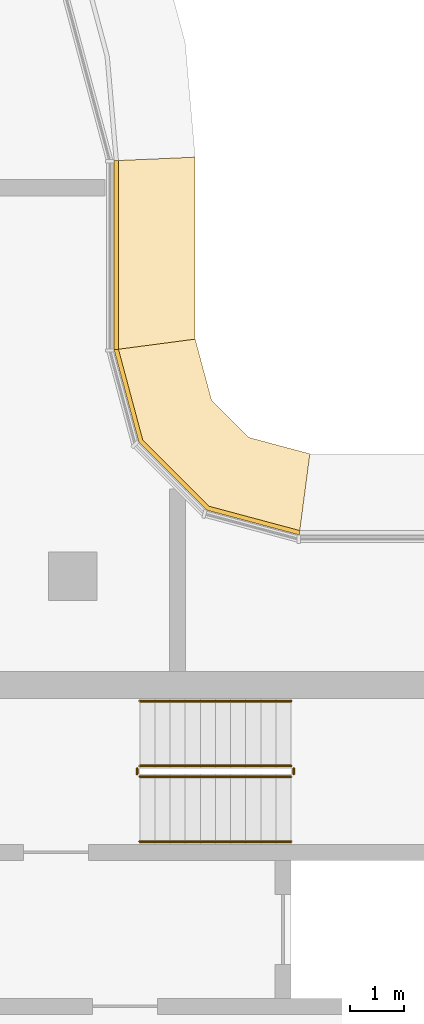
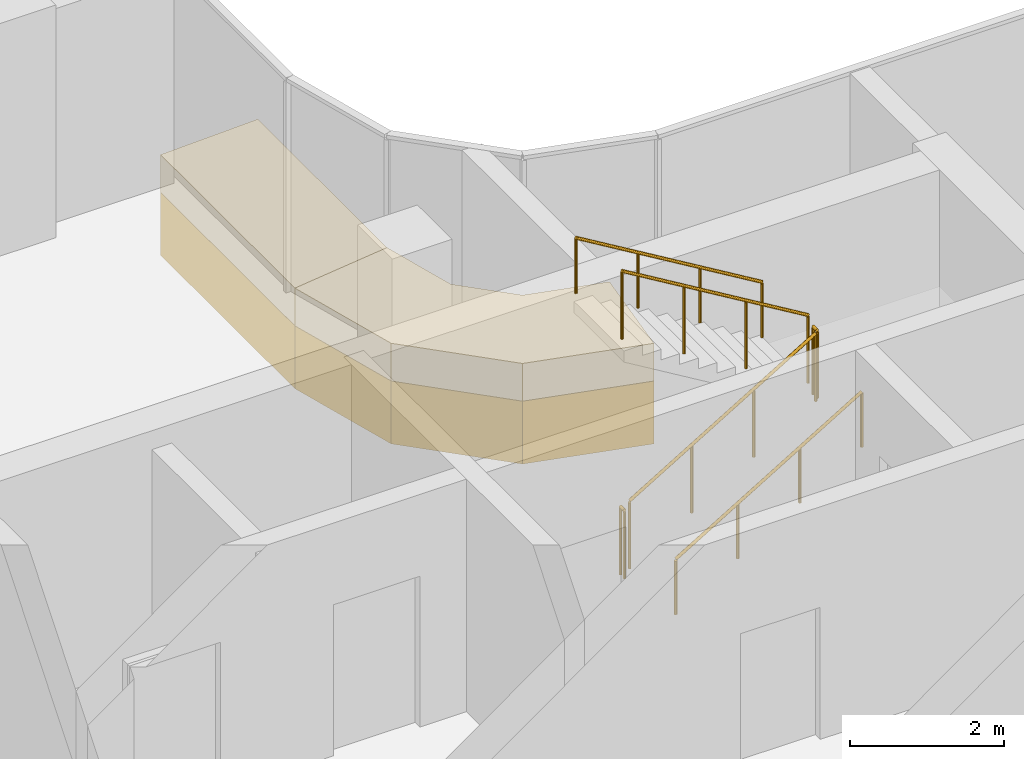
# One storey, part 17 of 20: 6 railings, 4 coverings.
"""IFC4 building model written with IfcOpenShell, lengths in metres."""

import ifcopenshell
import ifcopenshell.guid

model = None  # the IFC model being written
_history = None  # IfcOwnerHistory: only IFC2X3 demands one
_inside = {}  # id of a spatial element -> (the spatial element, [elements in it])
_under = {}  # id of a project, library or spatial element -> (it, [spatial elements below it])
_declared = {}  # id of a project -> (the project, [libraries it declares])
_typed = {}  # id of a type object -> (the type object, [elements of that type])
_made_of = {}  # id of a material, layer set ... -> (it, [elements and type objects made of it])


def new_model(schema):
    """Start an empty IFC model of exactly this schema.

    Asked for "IFC4X3", IfcOpenShell would pick the latest addendum, in which some entities
    have other attributes; the version numbers below select the first issue.
    IFC2X3 requires an IfcOwnerHistory on every rooted entity: one is made here for all.
    """
    global model, _history
    if schema == "IFC4X3":
        model = ifcopenshell.file(schema_version=(4, 3, 0, 0))
    else:
        model = ifcopenshell.file(schema=schema)
    _inside.clear()
    _under.clear()
    _declared.clear()
    _typed.clear()
    _made_of.clear()
    _history = None
    if model.schema == "IFC2X3":
        org = make("IfcOrganization", Name="unknown")
        user = make(
            "IfcPersonAndOrganization",
            ThePerson=make("IfcPerson", FamilyName="unknown"),
            TheOrganization=org,
        )
        app = make(
            "IfcApplication",
            ApplicationDeveloper=org,
            Version="unknown",
            ApplicationFullName="unknown",
            ApplicationIdentifier="unknown",
        )
        _history = make(
            "IfcOwnerHistory",
            OwningUser=user,
            OwningApplication=app,
            ChangeAction="ADDED",
            CreationDate=0,
        )
    return model


def make(cls, **values):
    """One entity of the class cls with the attributes given. An attribute that is None is left unset."""
    return model.create_entity(
        cls, **{name: value for name, value in values.items() if value is not None}
    )


def rooted(cls, **values):
    """An entity with a GlobalId (a new one), such as an element, a storey or a relation."""
    return make(cls, GlobalId=ifcopenshell.guid.new(), OwnerHistory=_history, **values)


def si_unit(unit_type, name, prefix=None):
    """IfcSIUnit, for example si_unit("LENGTHUNIT", "METRE", prefix="MILLI")."""
    return make("IfcSIUnit", UnitType=unit_type, Prefix=prefix, Name=name)


def assignment(units):
    """IfcUnitAssignment: the units of a project."""
    return None if units is None else make("IfcUnitAssignment", Units=units)


def point(xyz):
    """IfcCartesianPoint."""
    return None if xyz is None else make("IfcCartesianPoint", Coordinates=xyz)


def direction(xyz):
    """IfcDirection."""
    return None if xyz is None else make("IfcDirection", DirectionRatios=xyz)


def frame(location, z_axis=None, x_axis=None):
    """IfcAxis2Placement3D, a coordinate frame: its origin and axes. An axis left out is left unset."""
    return make(
        "IfcAxis2Placement3D",
        Location=point(location),
        Axis=direction(z_axis),
        RefDirection=direction(x_axis),
    )


def frame_2d(location, x_axis=None):
    """IfcAxis2Placement2D, a coordinate frame in the plane: its origin and x axis."""
    return make(
        "IfcAxis2Placement2D", Location=point(location), RefDirection=direction(x_axis)
    )


def origin():
    """The frame at (0, 0, 0) with its axes left unset."""
    return frame((0.0, 0.0, 0.0))


def origin_2d():
    """The frame at (0, 0) in the plane with its x axis left unset."""
    return frame_2d((0.0, 0.0))


def place(relative_to, where):
    """IfcLocalPlacement: puts the frame where relative to a parent placement (None: the world)."""
    return make(
        "IfcLocalPlacement", PlacementRelTo=relative_to, RelativePlacement=where
    )


def context(
    kind, dimensions, precision=None, world=None, true_north=None, identifier=None
):
    """IfcGeometricRepresentationContext, for example the 3D "Model" context."""
    return make(
        "IfcGeometricRepresentationContext",
        ContextIdentifier=identifier,
        ContextType=kind,
        CoordinateSpaceDimension=dimensions,
        Precision=precision,
        WorldCoordinateSystem=world,
        TrueNorth=true_north,
    )


def subcontext(parent, identifier, kind, view, scale=None):
    """IfcGeometricRepresentationSubContext, for example "Body" below "Model"."""
    return make(
        "IfcGeometricRepresentationSubContext",
        ContextIdentifier=identifier,
        ContextType=kind,
        ParentContext=parent,
        TargetScale=scale,
        TargetView=view,
    )


def project(units=None, contexts=None):
    """IfcProject with its units and contexts."""
    return rooted(
        "IfcProject",
        Name="project",
        RepresentationContexts=contexts,
        UnitsInContext=assignment(units),
    )


def spatial(cls, under=None, at=None, **own):
    """A site, building, storey or space (cls), placed at a placement, below another one or the project."""
    s = rooted(cls, ObjectPlacement=at, **own)
    if under is not None:
        _under.setdefault(under.id(), (under, []))[1].append(s)
    return s


def polyline(points):
    """IfcPolyline through the points."""
    return make("IfcPolyline", Points=[point(p) for p in points])


def profile(cls, at=None, kind="AREA", **sizes):
    """A parametric profile (cls). Its sizes go by their IFC names, for example OverallWidth=200.0."""
    return make(cls, ProfileType=kind, Position=at, **sizes)


def circle(**sizes):
    """IfcCircleProfileDef."""
    return profile("IfcCircleProfileDef", **sizes)


def outline(outer, holes=None, kind="AREA"):
    """IfcArbitraryClosedProfileDef: a profile drawn as a closed curve; with holes, ...WithVoids."""
    if holes is None:
        return make("IfcArbitraryClosedProfileDef", ProfileType=kind, OuterCurve=outer)
    return make(
        "IfcArbitraryProfileDefWithVoids",
        ProfileType=kind,
        OuterCurve=outer,
        InnerCurves=holes,
    )


def extrude(swept, where, along, depth):
    """IfcExtrudedAreaSolid: the profile swept, set in the frame where, extruded along a direction by depth."""
    return make(
        "IfcExtrudedAreaSolid",
        SweptArea=swept,
        Position=where,
        ExtrudedDirection=direction(along),
        Depth=depth,
    )


def shape(context_of_items, identifier, shape_type, items):
    """IfcShapeRepresentation: the items that make up one representation, for example the "Body"."""
    return make(
        "IfcShapeRepresentation",
        ContextOfItems=context_of_items,
        RepresentationIdentifier=identifier,
        RepresentationType=shape_type,
        Items=items,
    )


def material(Name=None, Category=None):
    """IfcMaterial."""
    return make("IfcMaterial", Name=Name, Category=Category)


def layer(
    of_material, thickness, ventilated=None, Name=None, Category=None, Priority=None
):
    """IfcMaterialLayer: one layer of a wall or slab, of a material (None: an air gap)."""
    return make(
        "IfcMaterialLayer",
        Material=of_material,
        LayerThickness=thickness,
        IsVentilated=ventilated,
        Name=Name,
        Category=Category,
        Priority=Priority,
    )


def layer_set(layers, Name=None):
    """IfcMaterialLayerSet."""
    return make("IfcMaterialLayerSet", MaterialLayers=layers, LayerSetName=Name)


def made_of(thing, what):
    """Note that an element or type object is made of a material, layer set ...; save() writes the relation."""
    if what is not None:
        _made_of.setdefault(what.id(), (what, []))[1].append(thing)
    return thing


def type_object(cls, material=None, **own):
    """A type object (cls), such as IfcWallType, which elements share."""
    return made_of(rooted(cls, **own), material)


def element(
    cls,
    number,
    at=None,
    inside=None,
    cuts=None,
    type_object=None,
    material=None,
    context=None,
    identifier="Body",
    shape_type=None,
    held_by="IfcProductDefinitionShape",
    body=None,
    shapes=None,
    **own,
):
    """One element of the class cls, such as IfcWall. Its Tag is "e" and its number.

    at: its placement. inside: the storey or other place that contains it. cuts: it is an
    opening in that element (IfcRelVoidsElement). A single representation is given by context,
    identifier, shape_type and body (its items); several are given by shapes. held_by: the class
    of the entity that holds the representations. save() writes the other relations.
    """
    e = rooted(cls, Tag="e%d" % number, ObjectPlacement=at, **own)
    if body is not None:
        shapes = [shape(context, identifier, shape_type, body)]
    if shapes is not None:
        e.Representation = make(held_by, Representations=shapes)
    if inside is not None:
        _inside.setdefault(inside.id(), (inside, []))[1].append(e)
    if cuts is not None:
        rooted(
            "IfcRelVoidsElement", RelatingBuildingElement=cuts, RelatedOpeningElement=e
        )
    if type_object is not None:
        _typed.setdefault(type_object.id(), (type_object, []))[1].append(e)
    return made_of(e, material)


def aggregate(whole, parts):
    """IfcRelAggregates: a whole, such as a stair, and the parts it consists of."""
    return rooted("IfcRelAggregates", RelatingObject=whole, RelatedObjects=parts)


def save(model, path):
    """Write the relations noted so far, then the file.

    IfcRelAggregates (storeys below a building ...), IfcRelContainedInSpatialStructure (elements
    in a storey), IfcRelDefinesByType, IfcRelAssociatesMaterial and IfcRelDeclares: one each for
    every whole, place, type object, material and project.
    """
    for whole, parts in _under.values():
        aggregate(whole, parts)
    for where, things in _inside.values():
        rooted(
            "IfcRelContainedInSpatialStructure",
            RelatedElements=things,
            RelatingStructure=where,
        )
    for kind, things in _typed.values():
        rooted("IfcRelDefinesByType", RelatedObjects=things, RelatingType=kind)
    for what, things in _made_of.values():
        rooted("IfcRelAssociatesMaterial", RelatedObjects=things, RelatingMaterial=what)
    for by, libraries in _declared.values():
        rooted("IfcRelDeclares", RelatingContext=by, RelatedDefinitions=libraries)
    model.write(path)


model = new_model("IFC4")

# Units and contexts
model_context = context("Model", 3, precision=1e-05, world=origin(), true_north=direction((0.0, 1.0)))
body_context = subcontext(model_context, "Body", "Model", "MODEL_VIEW")
ifc_project = project(units=[si_unit("LENGTHUNIT", "METRE"), si_unit("AREAUNIT", "SQUARE_METRE"), si_unit("VOLUMEUNIT", "CUBIC_METRE"), si_unit("PLANEANGLEUNIT", "RADIAN"), si_unit("MASSUNIT", "GRAM", prefix="KILO")], contexts=[model_context])

# Site, building, storey
site_placement = place(None, origin())
site = spatial("IfcSite", under=ifc_project, at=site_placement, CompositionType="ELEMENT")
building_placement = place(site_placement, origin())
building = spatial("IfcBuilding", under=site, at=building_placement, Name="Ogive Portal Towers", CompositionType="ELEMENT")
storey_placement = place(building_placement, frame((0.0, 0.0, 232.800048828125)))
storey = spatial("IfcBuildingStorey", under=building, at=storey_placement, Name="L58", CompositionType="ELEMENT", Elevation=232.800048828125)

# Railings
ifc_material_1 = material(Name="Stainless steel balustrade", Category="steel")
railing_type_1 = type_object("IfcRailingType", Name="INT-GUARD", PredefinedType="GUARDRAIL", material=ifc_material_1)
railing_1_placement = place(storey_placement, frame((52.550048828125, 37.60009765625, 0.168212890625)))
element("IfcRailing", 1, at=railing_1_placement, inside=storey, type_object=railing_type_1, Name="L58 ST-A2 stair guard 1", PredefinedType="GUARDRAIL", context=body_context, shape_type="SweptSolid", body=[
    extrude(circle(Radius=0.02392578125, at=origin_2d()), frame((0.0, 0.0, 1.076171875), z_axis=(0.857275202839, 0.0, 0.514858452973), x_axis=(0.0, 1.0, 0.0)), (0.0, 0.0, 1.0), 3.26611328125),
    extrude(circle(Radius=0.02099609375, at=origin_2d()), origin(), (0.0, 0.0, 1.0), 1.052001953125),
    extrude(circle(Radius=0.02099609375, at=origin_2d()), frame((0.933349609375, 0.0, 0.560546875)), (0.0, 0.0, 1.0), 1.052001953125),
    extrude(circle(Radius=0.02099609375, at=origin_2d()), frame((1.86669921875, 0.0, 1.12109375)), (0.0, 0.0, 1.0), 1.052001953125),
    extrude(circle(Radius=0.02099609375, at=origin_2d()), frame((2.800048828125, 0.0, 1.681640625)), (0.0, 0.0, 1.0), 1.052001953125),
])
railing_2_placement = place(storey_placement, frame((55.39990234375, 37.64990234375, 1.849853515625)))
element("IfcRailing", 2, at=railing_2_placement, inside=storey, type_object=railing_type_1, Name="L58 ST-A2 stair guard 2", PredefinedType="GUARDRAIL", context=body_context, shape_type="SweptSolid", body=[
    extrude(circle(Radius=0.02392578125, at=origin_2d()), frame((0.0, 0.0, 1.076171875), z_axis=(0.0, 1.0, 0.0), x_axis=(-1.0, 0.0, 0.0)), (0.0, 0.0, 1.0), 0.10009765625),
    extrude(circle(Radius=0.02099609375, at=origin_2d()), origin(), (0.0, 0.0, 1.0), 1.052001953125),
    extrude(circle(Radius=0.02099609375, at=origin_2d()), frame((0.0, 0.10009765625, 0.0)), (0.0, 0.0, 1.0), 1.052001953125),
])
railing_3_placement = place(storey_placement, frame((55.35009765625, 37.800048828125, 2.01806640625)))
element("IfcRailing", 3, at=railing_3_placement, inside=storey, type_object=railing_type_1, Name="L58 ST-A2 stair guard 3", PredefinedType="GUARDRAIL", context=body_context, shape_type="SweptSolid", body=[
    extrude(circle(Radius=0.02392578125, at=origin_2d()), frame((0.0, 0.0, 1.076171875), z_axis=(-0.857242210791, 0.0, 0.514913383045), x_axis=(0.0, -1.0, 0.0)), (0.0, 0.0, 1.0), 3.266357421875),
    extrude(circle(Radius=0.02099609375, at=origin_2d()), origin(), (0.0, 0.0, 1.0), 1.052001953125),
    extrude(circle(Radius=0.02099609375, at=origin_2d()), frame((-0.933349609375, 0.0, 0.560546875)), (0.0, 0.0, 1.0), 1.052001953125),
    extrude(circle(Radius=0.02099609375, at=origin_2d()), frame((-1.86669921875, 0.0, 1.121337890625)), (0.0, 0.0, 1.0), 1.052001953125),
    extrude(circle(Radius=0.02099609375, at=origin_2d()), frame((-2.800048828125, 0.0, 1.681884765625)), (0.0, 0.0, 1.0), 1.052001953125),
])
railing_4_placement = place(storey_placement, frame((52.5, 37.64990234375, 0.0)))
element("IfcRailing", 4, at=railing_4_placement, inside=storey, type_object=railing_type_1, Name="L58 ST-A2 stair guard 4", PredefinedType="GUARDRAIL", context=body_context, shape_type="SweptSolid", body=[
    extrude(circle(Radius=0.02392578125, at=origin_2d()), frame((0.0, 0.0, 1.076171875), z_axis=(0.0, 1.0, 0.0), x_axis=(-1.0, 0.0, 0.0)), (0.0, 0.0, 1.0), 0.10009765625),
    extrude(circle(Radius=0.02099609375, at=origin_2d()), origin(), (0.0, 0.0, 1.0), 1.052001953125),
    extrude(circle(Radius=0.02099609375, at=origin_2d()), frame((0.0, 0.10009765625, 0.0)), (0.0, 0.0, 1.0), 1.052001953125),
])
ifc_material_2 = material(Name="Stainless steel handrail", Category="steel")
railing_type_2 = type_object("IfcRailingType", Name="INT-HANDRAIL", PredefinedType="HANDRAIL", material=ifc_material_2)
railing_5_placement = place(storey_placement, frame((52.550048828125, 36.39990234375, 0.168212890625)))
element("IfcRailing", 5, at=railing_5_placement, inside=storey, type_object=railing_type_2, Name="L58 ST-A2 stair handrail 1", PredefinedType="HANDRAIL", context=body_context, shape_type="SweptSolid", body=[
    extrude(circle(Radius=0.02392578125, at=origin_2d()), frame((0.0, 0.0, 0.8759765625), z_axis=(0.857275202839, 0.0, 0.514858452973), x_axis=(0.0, 1.0, 0.0)), (0.0, 0.0, 1.0), 3.26611328125),
    extrude(circle(Radius=0.02099609375, at=origin_2d()), origin(), (0.0, 0.0, 1.0), 0.851806640625),
    extrude(circle(Radius=0.02099609375, at=origin_2d()), frame((0.933349609375, 0.0, 0.560546875)), (0.0, 0.0, 1.0), 0.851806640625),
    extrude(circle(Radius=0.02099609375, at=origin_2d()), frame((1.86669921875, 0.0, 1.12109375)), (0.0, 0.0, 1.0), 0.851806640625),
    extrude(circle(Radius=0.02099609375, at=origin_2d()), frame((2.800048828125, 0.0, 1.681640625)), (0.0, 0.0, 1.0), 0.851806640625),
])
railing_6_placement = place(storey_placement, frame((55.35009765625, 39.0, 2.01806640625)))
element("IfcRailing", 6, at=railing_6_placement, inside=storey, type_object=railing_type_2, Name="L58 ST-A2 stair handrail 2", PredefinedType="HANDRAIL", context=body_context, shape_type="SweptSolid", body=[
    extrude(circle(Radius=0.02392578125, at=origin_2d()), frame((0.0, 0.0, 0.8759765625), z_axis=(-0.857242210791, 0.0, 0.514913383045), x_axis=(0.0, -1.0, 0.0)), (0.0, 0.0, 1.0), 3.266357421875),
    extrude(circle(Radius=0.02099609375, at=origin_2d()), origin(), (0.0, 0.0, 1.0), 0.851806640625),
    extrude(circle(Radius=0.02099609375, at=origin_2d()), frame((-0.933349609375, 0.0, 0.560546875)), (0.0, 0.0, 1.0), 0.851806640625),
    extrude(circle(Radius=0.02099609375, at=origin_2d()), frame((-1.86669921875, 0.0, 1.121337890625)), (0.0, 0.0, 1.0), 0.851806640625),
    extrude(circle(Radius=0.02099609375, at=origin_2d()), frame((-2.800048828125, 0.0, 1.681884765625)), (0.0, 0.0, 1.0), 0.851806640625),
])

# Coverings
ifc_material_3 = material(Name="Limestone cladding on lightweight block wall", Category="masonry")
ifc_layer_1 = layer(ifc_material_3, 0.080078125)
ifc_layer_set_1 = layer_set([ifc_layer_1], Name="STONE SPANDREL 80")
covering_type_1 = type_object("IfcCoveringType", Name="STONE SPANDREL 80", PredefinedType="CLADDING", material=ifc_layer_set_1)
covering_1_placement = place(storey_placement, frame((0.0, 0.0, -1.60009765625)))
element("IfcCovering", 7, at=covering_1_placement, inside=storey, type_object=covering_type_1, Name="Stone spandrel A1-F10", PredefinedType="CLADDING", context=body_context, shape_type="SweptSolid", body=[
    extrude(outline(polyline([(55.5, 42.074951171875), (53.78759765625, 42.533935546875), (52.533935546875, 43.78759765625), (52.074951171875, 45.5), (52.155029296875, 45.510498046875), (52.60546875, 43.828857421875), (53.828857421875, 42.60546875), (55.510498046875, 42.155029296875), (55.5, 42.074951171875)])), origin(), (0.0, 0.0, 1.0), 1.0),
])
covering_2_placement = place(storey_placement, frame((0.0, 0.0, -1.60009765625)))
element("IfcCovering", 8, at=covering_2_placement, inside=storey, type_object=covering_type_1, Name="Stone spandrel A1-F11", PredefinedType="CLADDING", context=body_context, shape_type="SweptSolid", body=[
    extrude(outline(polyline([(52.074951171875, 45.5), (52.074951171875, 49.0), (52.155029296875, 49.00341796875), (52.155029296875, 45.510498046875), (52.074951171875, 45.5)])), origin(), (0.0, 0.0, 1.0), 1.0),
])
ifc_layer_2 = layer(ifc_material_3, 0.60009765625)
ifc_layer_set_2 = layer_set([ifc_layer_2], Name="SUNSHADE LIP 600")
covering_type_2 = type_object("IfcCoveringType", Name="SUNSHADE LIP 600", PredefinedType="CLADDING", material=ifc_layer_set_2)
covering_3_placement = place(storey_placement, frame((0.0, 0.0, -0.60009765625)))
element("IfcCovering", 9, at=covering_3_placement, inside=storey, type_object=covering_type_2, Name="Sunshade lip A1-F10", PredefinedType="CLADDING", context=body_context, shape_type="SweptSolid", body=[
    extrude(outline(polyline([(55.5, 42.074951171875), (53.78759765625, 42.533935546875), (52.533935546875, 43.78759765625), (52.074951171875, 45.5), (53.574951171875, 45.697509765625), (53.878662109375, 44.56396484375), (54.56396484375, 43.878662109375), (55.697509765625, 43.574951171875), (55.5, 42.074951171875)])), origin(), (0.0, 0.0, 1.0), 0.60009765625),
])
covering_4_placement = place(storey_placement, frame((0.0, 0.0, -0.60009765625)))
element("IfcCovering", 10, at=covering_4_placement, inside=storey, type_object=covering_type_2, Name="Sunshade lip A1-F11", PredefinedType="CLADDING", context=body_context, shape_type="SweptSolid", body=[
    extrude(outline(polyline([(52.074951171875, 45.5), (52.074951171875, 49.0), (53.574951171875, 49.0654296875), (53.574951171875, 45.697509765625), (52.074951171875, 45.5)])), origin(), (0.0, 0.0, 1.0), 0.60009765625),
])

save(model, "model.ifc")
